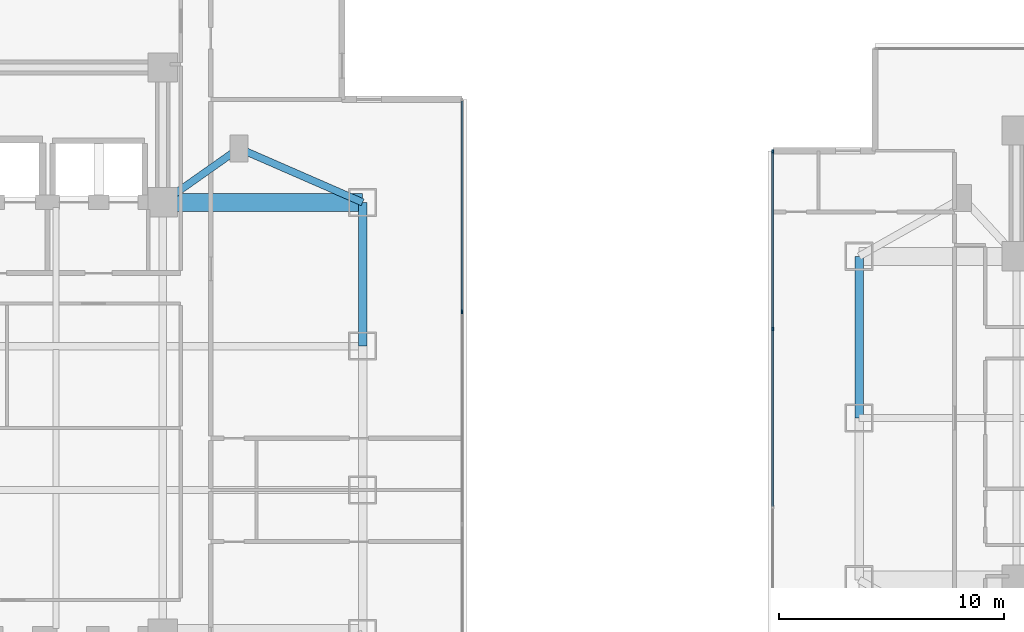
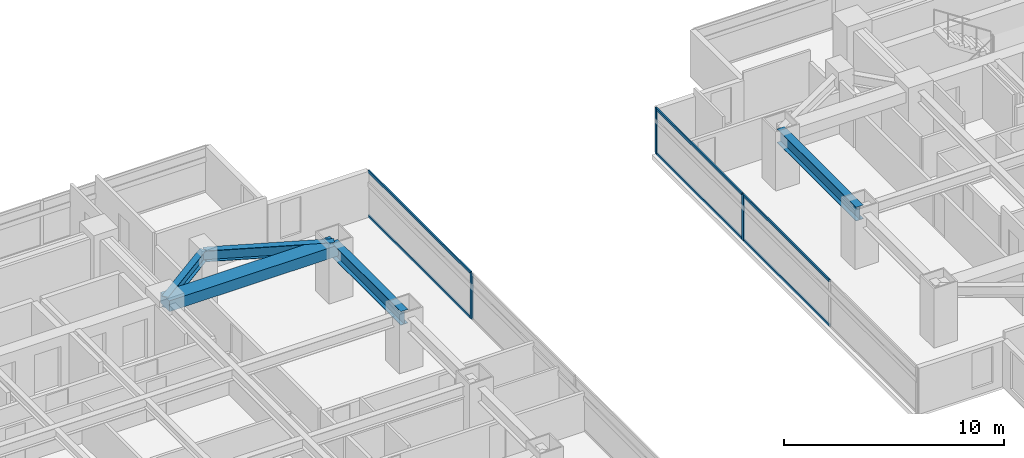
# One storey, part 6 of 26: 9 members, 5 beams, 2 elements without a shape of their own.
"""IFC4 building model written with IfcOpenShell, lengths in metres."""

from ifc_helpers import new_model, si_unit, direction, frame, origin, origin_2d, place, context, subcontext, project, spatial, rectangle, i_section, extrude, material, material_profile, profile_set, type_object, element, aggregate, save


model = new_model("IFC4")

# Units and contexts
model_context = context("Model", 3, precision=1e-05, world=origin(), true_north=direction((0.0, 1.0)))
body_context = subcontext(model_context, "Body", "Model", "MODEL_VIEW")
ifc_project = project(units=[si_unit("LENGTHUNIT", "METRE"), si_unit("AREAUNIT", "SQUARE_METRE"), si_unit("VOLUMEUNIT", "CUBIC_METRE"), si_unit("PLANEANGLEUNIT", "RADIAN"), si_unit("MASSUNIT", "GRAM", prefix="KILO")], contexts=[model_context])

# Site, building, storey
site_placement = place(None, origin())
site = spatial("IfcSite", under=ifc_project, at=site_placement, CompositionType="ELEMENT")
building_placement = place(site_placement, origin())
building = spatial("IfcBuilding", under=site, at=building_placement, Name="Mirazonda Arch Towers", CompositionType="ELEMENT")
storey_placement = place(building_placement, frame((0.0, 0.0, 78.5)))
storey = spatial("IfcBuildingStorey", under=building, at=storey_placement, Name="L22", CompositionType="ELEMENT", Elevation=78.5)

# Beams
ifc_material_1 = material(Name="Steel ASTM A992 Grade 50", Category="steel")
ifc_material_profile_1 = material_profile(ifc_material_1, i_section(OverallWidth=0.381103515625, OverallDepth=0.77294921875, WebThickness=0.0166015625, FlangeThickness=0.027099609375, at=origin_2d()), Name="W30X173")
ifc_profile_set_1 = profile_set([ifc_material_profile_1], Name="Steel ASTM A992 Grade 50")
beam_type_1 = type_object("IfcBeamType", Name="BM-EXT-W30X173", PredefinedType="USERDEFINED", material=ifc_profile_set_1)
beam_1_placement = place(storey_placement, frame((38.89990234375, 31.199951171875, 2.553466796875), z_axis=(0.0, 1.0, 0.0), x_axis=(-1.0, 0.0, 0.0)))
element("IfcBeam", 1, at=beam_1_placement, inside=storey, type_object=beam_type_1, Name="L22 Floor Beam BMT-T1-L22-NS-E-31", ObjectType="GIRDER", PredefinedType="USERDEFINED", context=body_context, shape_type="SweptSolid", body=[
    extrude(i_section(OverallWidth=0.381103515625, OverallDepth=0.77294921875, WebThickness=0.0166015625, FlangeThickness=0.027099609375, at=origin_2d()), origin(), (0.0, 0.0, 1.0), 6.400146484375),
])
beam_2_placement = place(storey_placement, frame((61.0, 28.0, 2.553466796875), z_axis=(0.0, 1.0, 0.0), x_axis=(-1.0, 0.0, 0.0)))
element("IfcBeam", 2, at=beam_2_placement, inside=storey, type_object=beam_type_1, Name="L22 Floor Beam BMT-T2-L22-NS-W-28", ObjectType="GIRDER", PredefinedType="USERDEFINED", context=body_context, shape_type="SweptSolid", body=[
    extrude(i_section(OverallWidth=0.381103515625, OverallDepth=0.77294921875, WebThickness=0.0166015625, FlangeThickness=0.027099609375, at=origin_2d()), origin(), (0.0, 0.0, 1.0), 7.199951171875),
])
ifc_material_profile_2 = material_profile(ifc_material_1, i_section(OverallWidth=0.324951171875, OverallDepth=0.615966796875, WebThickness=0.013916015625, FlangeThickness=0.021484375, at=origin_2d()), Name="W24X117")
ifc_profile_set_2 = profile_set([ifc_material_profile_2], Name="Steel ASTM A992 Grade 50")
beam_type_2 = type_object("IfcBeamType", Name="BM-INT-W24X117", PredefinedType="BEAM", material=ifc_profile_set_2)
beam_3_placement = place(storey_placement, frame((33.39990234375, 40.0, 2.632080078125), z_axis=(-0.816971114901, -0.576678591087, 0.0), x_axis=(0.576678591087, -0.816971114901, 0.0)))
element("IfcBeam", 3, at=beam_3_placement, inside=storey, type_object=beam_type_2, Name="L22 Floor Beam BMT-T1-L22-PL-NE1", PredefinedType="BEAM", context=body_context, shape_type="SweptSolid", body=[
    extrude(i_section(OverallWidth=0.324951171875, OverallDepth=0.615966796875, WebThickness=0.013916015625, FlangeThickness=0.021484375, at=origin_2d()), origin(), (0.0, 0.0, 1.0), 4.16162109375),
])
beam_4_placement = place(storey_placement, frame((33.39990234375, 40.0, 2.632080078125), z_axis=(0.916545343703, -0.399930785183, 0.0), x_axis=(0.399930785183, 0.916545343703, 0.0)))
element("IfcBeam", 4, at=beam_4_placement, inside=storey, type_object=beam_type_2, Name="L22 Floor Beam BMT-T1-L22-PL-NE2", PredefinedType="BEAM", context=body_context, shape_type="SweptSolid", body=[
    extrude(i_section(OverallWidth=0.324951171875, OverallDepth=0.615966796875, WebThickness=0.013916015625, FlangeThickness=0.021484375, at=origin_2d()), origin(), (0.0, 0.0, 1.0), 6.000732421875),
])
ifc_material_2 = material(Name="Concrete C60/75", Category="concrete")
ifc_material_profile_3 = material_profile(ifc_material_2, rectangle(XDim=0.800048828125, YDim=0.60009765625, at=origin_2d()), Name="RCCB800x600")
ifc_profile_set_3 = profile_set([ifc_material_profile_3], Name="Concrete C60/75")
beam_type_3 = type_object("IfcBeamType", Name="CB-INT-RCCB800x600", PredefinedType="SPANDREL", material=ifc_profile_set_3)
beam_5_placement = place(storey_placement, frame((30.0, 37.60009765625, 2.639892578125), z_axis=(1.0, 0.0, 0.0), x_axis=(0.0, 1.0, 0.0)))
element("IfcBeam", 5, at=beam_5_placement, inside=storey, type_object=beam_type_3, Name="L22 Floor Beam CBC-T1-L22-NE", PredefinedType="SPANDREL", context=body_context, shape_type="SweptSolid", body=[
    extrude(rectangle(XDim=0.800048828125, YDim=0.60009765625, at=origin_2d()), origin(), (0.0, 0.0, 1.0), 8.89990234375),
])

# Curtain wall, member
ifc_material_3 = material(Name="Anodised Aluminium and Low-E Glass", Category="aluminium")
curtain_wall_type = type_object("IfcCurtainWallType", Name="CW-HTL-UNIT", PredefinedType="NOTDEFINED", material=ifc_material_3)
curtain_wall_1_placement = place(storey_placement, origin())
curtain_wall_1 = element("IfcCurtainWall", 6, at=curtain_wall_1_placement, inside=storey, type_object=curtain_wall_type, Name="L22 T1 E Facade CW-L22-T1-E", PredefinedType="NOTDEFINED")
ifc_material_4 = material(Name="Anodised Aluminium Alloy", Category="aluminium")
ifc_material_profile_4 = material_profile(ifc_material_4, rectangle(XDim=0.074951171875, YDim=0.1650390625, at=origin_2d()), Name="ALU-MULL-75x165")
ifc_profile_set_4 = profile_set([ifc_material_profile_4], Name="Anodised Aluminium Alloy")
member_type_1 = type_object("IfcMemberType", Name="MULL-CW-HTL-UNIT", PredefinedType="MULLION", material=ifc_profile_set_4)
member_1_placement = place(storey_placement, frame((43.320068359375, 32.72802734375, 0.0), z_axis=(0.0, 0.0, 1.0), x_axis=(-1.0, 0.0, 0.0)))
member_1 = element("IfcMember", 7, at=member_1_placement, type_object=member_type_1, Name="CW-112 mullion 3", PredefinedType="MULLION", context=body_context, shape_type="SweptSolid", body=[
    extrude(rectangle(XDim=0.074951171875, YDim=0.1650390625, at=origin_2d()), origin(), (0.0, 0.0, 1.0), 2.56005859375),
])

# Curtain wall, members
curtain_wall_2_placement = place(storey_placement, origin())
curtain_wall_2 = element("IfcCurtainWall", 8, at=curtain_wall_2_placement, inside=storey, type_object=curtain_wall_type, Name="L22 T2 W Facade CW-L22-T2-W", PredefinedType="NOTDEFINED")
member_2_placement = place(storey_placement, frame((57.156005859375, 39.85888671875, 0.0), z_axis=(0.0, 0.0, 1.0), x_axis=(1.0, 0.0, 0.0)))
member_2 = element("IfcMember", 9, at=member_2_placement, type_object=member_type_1, Name="CW-112 mullion 1", PredefinedType="MULLION", context=body_context, shape_type="SweptSolid", body=[
    extrude(rectangle(XDim=0.074951171875, YDim=0.1650390625, at=origin_2d()), origin(), (0.0, 0.0, 1.0), 2.56005859375),
])
member_3_placement = place(storey_placement, frame((57.156005859375, 31.965576171875, 0.0), z_axis=(0.0, 0.0, 1.0), x_axis=(1.0, 0.0, 0.0)))
member_3 = element("IfcMember", 10, at=member_3_placement, type_object=member_type_1, Name="CW-112 mullion 2", PredefinedType="MULLION", context=body_context, shape_type="SweptSolid", body=[
    extrude(rectangle(XDim=0.074951171875, YDim=0.1650390625, at=origin_2d()), origin(), (0.0, 0.0, 1.0), 2.56005859375),
])

# Member
ifc_material_profile_5 = material_profile(ifc_material_4, rectangle(XDim=0.074951171875, YDim=0.14501953125, at=origin_2d()), Name="ALU-TRAN-75x145")
ifc_profile_set_5 = profile_set([ifc_material_profile_5], Name="Anodised Aluminium Alloy")
member_type_2 = type_object("IfcMemberType", Name="TRAN-CW-HTL-UNIT", PredefinedType="USERDEFINED", material=ifc_profile_set_5)
member_4_placement = place(storey_placement, frame((43.320068359375, 32.765380859375, 0.03759765625), z_axis=(0.0, 1.0, 0.0), x_axis=(-1.0, 0.0, 0.0)))
member_4 = element("IfcMember", 11, at=member_4_placement, type_object=member_type_2, Name="CW-112 transom 3.1", ObjectType="TRANSOM", PredefinedType="USERDEFINED", context=body_context, shape_type="SweptSolid", body=[
    extrude(rectangle(XDim=0.074951171875, YDim=0.14501953125, at=origin_2d()), origin(), (0.0, 0.0, 1.0), 9.343505859375),
])

member_5_placement = place(storey_placement, frame((43.320068359375, 32.765380859375, 2.5224609375), z_axis=(0.0, 1.0, 0.0), x_axis=(-1.0, 0.0, 0.0)))
member_5 = element("IfcMember", 12, at=member_5_placement, type_object=member_type_2, Name="CW-112 transom 3.2", ObjectType="TRANSOM", PredefinedType="USERDEFINED", context=body_context, shape_type="SweptSolid", body=[
    extrude(rectangle(XDim=0.074951171875, YDim=0.14501953125, at=origin_2d()), origin(), (0.0, 0.0, 1.0), 9.343505859375),
])

aggregate(curtain_wall_1, [member_1, member_4, member_5])

member_6_placement = place(storey_placement, frame((57.156005859375, 39.8212890625, 0.03759765625), z_axis=(0.0, -1.0, 0.0), x_axis=(1.0, 0.0, 0.0)))
member_6 = element("IfcMember", 13, at=member_6_placement, type_object=member_type_2, Name="CW-112 transom 1.1", ObjectType="TRANSOM", PredefinedType="USERDEFINED", context=body_context, shape_type="SweptSolid", body=[
    extrude(rectangle(XDim=0.074951171875, YDim=0.14501953125, at=origin_2d()), origin(), (0.0, 0.0, 1.0), 7.818359375),
])

member_7_placement = place(storey_placement, frame((57.156005859375, 39.8212890625, 2.5224609375), z_axis=(0.0, -1.0, 0.0), x_axis=(1.0, 0.0, 0.0)))
member_7 = element("IfcMember", 14, at=member_7_placement, type_object=member_type_2, Name="CW-112 transom 1.2", ObjectType="TRANSOM", PredefinedType="USERDEFINED", context=body_context, shape_type="SweptSolid", body=[
    extrude(rectangle(XDim=0.074951171875, YDim=0.14501953125, at=origin_2d()), origin(), (0.0, 0.0, 1.0), 7.818359375),
])

member_8_placement = place(storey_placement, frame((57.156005859375, 31.927978515625, 0.03759765625), z_axis=(0.0, -1.0, 0.0), x_axis=(1.0, 0.0, 0.0)))
member_8 = element("IfcMember", 15, at=member_8_placement, type_object=member_type_2, Name="CW-112 transom 2.1", ObjectType="TRANSOM", PredefinedType="USERDEFINED", context=body_context, shape_type="SweptSolid", body=[
    extrude(rectangle(XDim=0.074951171875, YDim=0.14501953125, at=origin_2d()), origin(), (0.0, 0.0, 1.0), 7.85595703125),
])

member_9_placement = place(storey_placement, frame((57.156005859375, 31.927978515625, 2.5224609375), z_axis=(0.0, -1.0, 0.0), x_axis=(1.0, 0.0, 0.0)))
member_9 = element("IfcMember", 16, at=member_9_placement, type_object=member_type_2, Name="CW-112 transom 2.2", ObjectType="TRANSOM", PredefinedType="USERDEFINED", context=body_context, shape_type="SweptSolid", body=[
    extrude(rectangle(XDim=0.074951171875, YDim=0.14501953125, at=origin_2d()), origin(), (0.0, 0.0, 1.0), 7.85595703125),
])

aggregate(curtain_wall_2, [member_2, member_3, member_6, member_7, member_8, member_9])

save(model, "model.ifc")
